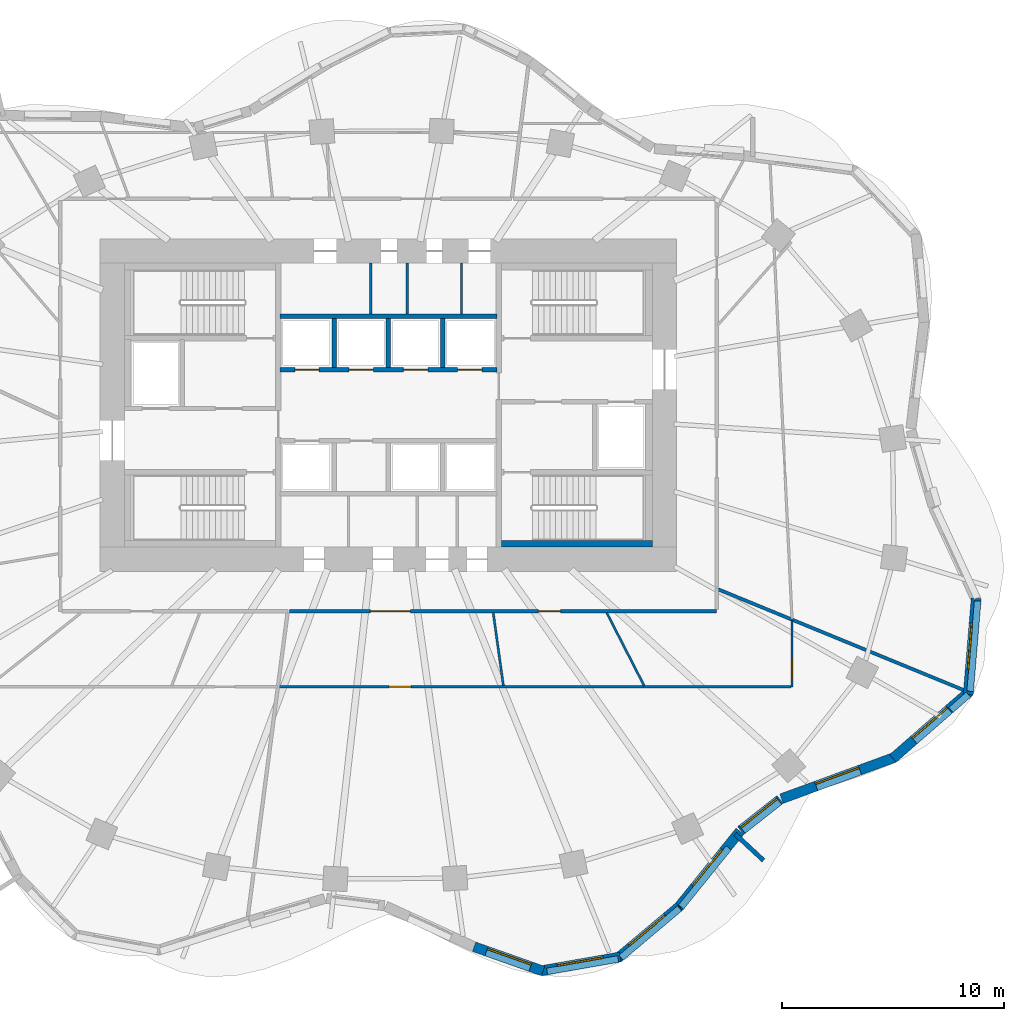
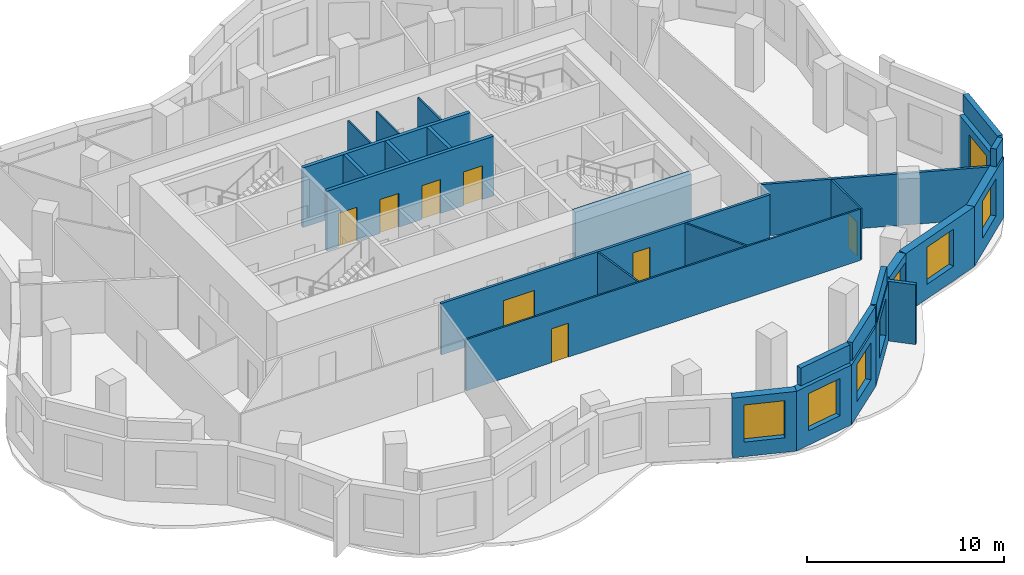
# One storey, part 5 of 9: 29 walls, 8 doors, 8 windows, 16 openings.
"""IFC4 building model written with IfcOpenShell, lengths in metres."""

from ifc_helpers import new_model, si_unit, direction, frame, frame_2d, origin, place, context, subcontext, project, spatial, rectangle, extrude, material, layer, layer_set, type_object, element, fill, save


model = new_model("IFC4")

# Units and contexts
model_context = context("Model", 3, precision=1e-05, world=origin(), true_north=direction((0.0, 1.0)))
body_context = subcontext(model_context, "Body", "Model", "MODEL_VIEW")
ifc_project = project(units=[si_unit("LENGTHUNIT", "METRE"), si_unit("AREAUNIT", "SQUARE_METRE"), si_unit("VOLUMEUNIT", "CUBIC_METRE"), si_unit("PLANEANGLEUNIT", "RADIAN"), si_unit("MASSUNIT", "GRAM", prefix="KILO")], contexts=[model_context])

# Site, building, storey
site_placement = place(None, origin())
site = spatial("IfcSite", under=ifc_project, at=site_placement, CompositionType="ELEMENT")
building_placement = place(site_placement, origin())
building = spatial("IfcBuilding", under=site, at=building_placement, Name="Rubra Terraces Tower", CompositionType="ELEMENT")
storey_placement = place(building_placement, frame((0.0, 0.0, 130.5)))
storey = spatial("IfcBuildingStorey", under=building, at=storey_placement, Name="L31", CompositionType="ELEMENT", Elevation=130.5)

# Wall, opening, window
ifc_material_1 = material(Name="Brick masonry red-brown", Category="masonry")
ifc_layer_1 = layer(ifc_material_1, 0.449951171875)
ifc_layer_set_1 = layer_set([ifc_layer_1], Name="Brick masonry red-brown")
wall_type_1 = type_object("IfcWallType", Name="Brick facade wall 450", PredefinedType="SOLIDWALL", material=ifc_layer_set_1)
wall_1_placement = place(storey_placement, frame((3.8603515625, -19.922607421875, 0.0), z_axis=(0.0, 0.0, 1.0), x_axis=(0.943061302397, -0.33261897108, 0.0)))
wall_1 = element("IfcWall", 1, at=wall_1_placement, inside=storey, type_object=wall_type_1, Name="Facade wall L31 bay 32", PredefinedType="SOLIDWALL", context=body_context, shape_type="SweptSolid", body=[
    extrude(rectangle(XDim=3.301513671875, YDim=0.449951171875, at=frame_2d((1.65087890625, 0.0))), origin(), (0.0, 0.0, 1.0), 3.699951171875),
])
opening_1_placement = place(wall_1_placement, frame((0.600830078125, 0.0, 0.89990234375)))
opening_1 = element("IfcOpeningElement", 2, at=opening_1_placement, cuts=wall_1, Name="Opening W1B", PredefinedType="OPENING", context=body_context, shape_type="SweptSolid", body=[
    extrude(rectangle(XDim=2.10009765625, YDim=2.300048828125, at=frame_2d((1.050048828125, 1.14990234375))), frame((0.0, 0.23486328125, 0.0), z_axis=(0.0, -1.0, 0.0), x_axis=(1.0, 0.0, 0.0)), (0.0, 0.0, 1.0), 0.469970703125),
])
ifc_material_2 = material(Name="Clear glass in aluminium frame", Category="aluminium")
window_type = type_object("IfcWindowType", Name="Fixed deep-set window tall storey 2100 x 2300", PartitioningType="SINGLE_PANEL", PredefinedType="WINDOW", material=ifc_material_2)
window_1_placement = place(opening_1_placement, origin())
window_1 = element("IfcWindow", 3, at=window_1_placement, inside=storey, type_object=window_type, Name="Window L31 bay 32", OverallHeight=2.300048828125, OverallWidth=2.10009765625, PartitioningType="SINGLE_PANEL", PredefinedType="WINDOW", context=body_context, shape_type="SweptSolid", body=[
    extrude(rectangle(XDim=2.10009765625, YDim=2.300048828125, at=frame_2d((1.050048828125, 1.14990234375))), frame((0.0, 0.135009765625, 0.0), z_axis=(0.0, -1.0, 0.0), x_axis=(1.0, 0.0, 0.0)), (0.0, 0.0, 1.0), 0.06005859375),
])
fill(opening_1, window_1)

wall_2_placement = place(storey_placement, frame((6.860107421875, -21.011474609375, 0.0), z_axis=(0.0, 0.0, 1.0), x_axis=(0.985017416972, 0.172454887614, 0.0)))
wall_2 = element("IfcWall", 4, at=wall_2_placement, inside=storey, type_object=wall_type_1, Name="Facade wall L31 bay 33", PredefinedType="SOLIDWALL", context=body_context, shape_type="SweptSolid", body=[
    extrude(rectangle(XDim=3.65380859375, YDim=0.449951171875, at=frame_2d((1.826904296875, 0.0))), origin(), (0.0, 0.0, 1.0), 3.699951171875),
])
opening_2_placement = place(wall_2_placement, frame((0.77685546875, 0.0, 0.89990234375)))
opening_2 = element("IfcOpeningElement", 5, at=opening_2_placement, cuts=wall_2, Name="Opening W1B", PredefinedType="OPENING", context=body_context, shape_type="SweptSolid", body=[
    extrude(rectangle(XDim=2.10009765625, YDim=2.300048828125, at=frame_2d((1.050048828125, 1.14990234375))), frame((0.0, 0.23486328125, 0.0), z_axis=(0.0, -1.0, 0.0), x_axis=(1.0, 0.0, 0.0)), (0.0, 0.0, 1.0), 0.469970703125),
])
window_2_placement = place(opening_2_placement, origin())
window_2 = element("IfcWindow", 6, at=window_2_placement, inside=storey, type_object=window_type, Name="Window L31 bay 33", OverallHeight=2.300048828125, OverallWidth=2.10009765625, PartitioningType="SINGLE_PANEL", PredefinedType="WINDOW", context=body_context, shape_type="SweptSolid", body=[
    extrude(rectangle(XDim=2.10009765625, YDim=2.300048828125, at=frame_2d((1.050048828125, 1.14990234375))), frame((0.0, 0.135009765625, 0.0), z_axis=(0.0, -1.0, 0.0), x_axis=(1.0, 0.0, 0.0)), (0.0, 0.0, 1.0), 0.06005859375),
])
fill(opening_2, window_2)

wall_3_placement = place(storey_placement, frame((10.353271484375, -20.430908203125, 0.0), z_axis=(0.0, 0.0, 1.0), x_axis=(0.765535539659, 0.643393610101, 0.0)))
wall_3 = element("IfcWall", 7, at=wall_3_placement, inside=storey, type_object=wall_type_1, Name="Facade wall L31 bay 34", PredefinedType="SOLIDWALL", context=body_context, shape_type="SweptSolid", body=[
    extrude(rectangle(XDim=3.60791015625, YDim=0.449951171875, at=frame_2d((1.803955078125, 0.0))), origin(), (0.0, 0.0, 1.0), 3.699951171875),
])
opening_3_placement = place(wall_3_placement, frame((0.75390625, 0.0, 0.89990234375)))
opening_3 = element("IfcOpeningElement", 8, at=opening_3_placement, cuts=wall_3, Name="Opening W1B", PredefinedType="OPENING", context=body_context, shape_type="SweptSolid", body=[
    extrude(rectangle(XDim=2.10009765625, YDim=2.300048828125, at=frame_2d((1.050048828125, 1.14990234375))), frame((0.0, 0.23486328125, 0.0), z_axis=(0.0, -1.0, 0.0), x_axis=(1.0, 0.0, 0.0)), (0.0, 0.0, 1.0), 0.469970703125),
])
window_3_placement = place(opening_3_placement, origin())
window_3 = element("IfcWindow", 9, at=window_3_placement, inside=storey, type_object=window_type, Name="Window L31 bay 34", OverallHeight=2.300048828125, OverallWidth=2.10009765625, PartitioningType="SINGLE_PANEL", PredefinedType="WINDOW", context=body_context, shape_type="SweptSolid", body=[
    extrude(rectangle(XDim=2.10009765625, YDim=2.300048828125, at=frame_2d((1.050048828125, 1.14990234375))), frame((0.0, 0.135009765625, 0.0), z_axis=(0.0, -1.0, 0.0), x_axis=(1.0, 0.0, 0.0)), (0.0, 0.0, 1.0), 0.06005859375),
])
fill(opening_3, window_3)

wall_4_placement = place(storey_placement, frame((13.0849609375, -18.140380859375, 0.0), z_axis=(0.0, 0.0, 1.0), x_axis=(0.628273836344, 0.777992279245, 0.0)))
wall_4 = element("IfcWall", 10, at=wall_4_placement, inside=storey, type_object=wall_type_1, Name="Facade wall L31 bay 35", PredefinedType="SOLIDWALL", context=body_context, shape_type="SweptSolid", body=[
    extrude(rectangle(XDim=4.401123046875, YDim=0.449951171875, at=frame_2d((2.20068359375, 0.0))), origin(), (0.0, 0.0, 1.0), 3.699951171875),
])
opening_4_placement = place(wall_4_placement, frame((1.150634765625, 0.0, 0.89990234375)))
opening_4 = element("IfcOpeningElement", 11, at=opening_4_placement, cuts=wall_4, Name="Opening W1B", PredefinedType="OPENING", context=body_context, shape_type="SweptSolid", body=[
    extrude(rectangle(XDim=2.10009765625, YDim=2.300048828125, at=frame_2d((1.050048828125, 1.14990234375))), frame((0.0, 0.23486328125, 0.0), z_axis=(0.0, -1.0, 0.0), x_axis=(1.0, 0.0, 0.0)), (0.0, 0.0, 1.0), 0.469970703125),
])
window_4_placement = place(opening_4_placement, origin())
window_4 = element("IfcWindow", 12, at=window_4_placement, inside=storey, type_object=window_type, Name="Window L31 bay 35", OverallHeight=2.300048828125, OverallWidth=2.10009765625, PartitioningType="SINGLE_PANEL", PredefinedType="WINDOW", context=body_context, shape_type="SweptSolid", body=[
    extrude(rectangle(XDim=2.10009765625, YDim=2.300048828125, at=frame_2d((1.050048828125, 1.14990234375))), frame((0.0, 0.135009765625, 0.0), z_axis=(0.0, -1.0, 0.0), x_axis=(1.0, 0.0, 0.0)), (0.0, 0.0, 1.0), 0.06005859375),
])
fill(opening_4, window_4)

wall_5_placement = place(storey_placement, frame((15.885986328125, -14.680908203125, 0.0), z_axis=(0.0, 0.0, 1.0), x_axis=(0.78545189886, 0.618922704849, 0.0)))
wall_5 = element("IfcWall", 13, at=wall_5_placement, inside=storey, type_object=wall_type_1, Name="Facade wall L31 bay 36", PredefinedType="SOLIDWALL", context=body_context, shape_type="SweptSolid", body=[
    extrude(rectangle(XDim=2.2607421875, YDim=0.449951171875, at=frame_2d((1.13037109375, 0.0))), origin(), (0.0, 0.0, 1.0), 3.699951171875),
])
opening_5_placement = place(wall_5_placement, frame((0.080322265625, 0.0, 0.89990234375)))
opening_5 = element("IfcOpeningElement", 14, at=opening_5_placement, cuts=wall_5, Name="Opening W1B", PredefinedType="OPENING", context=body_context, shape_type="SweptSolid", body=[
    extrude(rectangle(XDim=2.10009765625, YDim=2.300048828125, at=frame_2d((1.050048828125, 1.14990234375))), frame((0.0, 0.23486328125, 0.0), z_axis=(0.0, -1.0, 0.0), x_axis=(1.0, 0.0, 0.0)), (0.0, 0.0, 1.0), 0.469970703125),
])
window_5_placement = place(opening_5_placement, origin())
window_5 = element("IfcWindow", 15, at=window_5_placement, inside=storey, type_object=window_type, Name="Window L31 bay 36", OverallHeight=2.300048828125, OverallWidth=2.10009765625, PartitioningType="SINGLE_PANEL", PredefinedType="WINDOW", context=body_context, shape_type="SweptSolid", body=[
    extrude(rectangle(XDim=2.10009765625, YDim=2.300048828125, at=frame_2d((1.050048828125, 1.14990234375))), frame((0.0, 0.135009765625, 0.0), z_axis=(0.0, -1.0, 0.0), x_axis=(1.0, 0.0, 0.0)), (0.0, 0.0, 1.0), 0.06005859375),
])
fill(opening_5, window_5)

wall_6_placement = place(storey_placement, frame((17.7236328125, -13.247314453125, 0.0), z_axis=(0.0, 0.0, 1.0), x_axis=(0.939241771593, 0.343256310203, 0.0)))
wall_6 = element("IfcWall", 16, at=wall_6_placement, inside=storey, type_object=wall_type_1, Name="Facade wall L31 bay 37", PredefinedType="SOLIDWALL", context=body_context, shape_type="SweptSolid", body=[
    extrude(rectangle(XDim=5.426025390625, YDim=0.449951171875, at=frame_2d((2.712890625, 0.0))), origin(), (0.0, 0.0, 1.0), 3.699951171875),
])
opening_6_placement = place(wall_6_placement, frame((1.6630859375, 0.0, 0.89990234375)))
opening_6 = element("IfcOpeningElement", 17, at=opening_6_placement, cuts=wall_6, Name="Opening W1B", PredefinedType="OPENING", context=body_context, shape_type="SweptSolid", body=[
    extrude(rectangle(XDim=2.10009765625, YDim=2.300048828125, at=frame_2d((1.050048828125, 1.14990234375))), frame((0.0, 0.23486328125, 0.0), z_axis=(0.0, -1.0, 0.0), x_axis=(1.0, 0.0, 0.0)), (0.0, 0.0, 1.0), 0.469970703125),
])
window_6_placement = place(opening_6_placement, origin())
window_6 = element("IfcWindow", 18, at=window_6_placement, inside=storey, type_object=window_type, Name="Window L31 bay 37", OverallHeight=2.300048828125, OverallWidth=2.10009765625, PartitioningType="SINGLE_PANEL", PredefinedType="WINDOW", context=body_context, shape_type="SweptSolid", body=[
    extrude(rectangle(XDim=2.10009765625, YDim=2.300048828125, at=frame_2d((1.050048828125, 1.14990234375))), frame((0.0, 0.135009765625, 0.0), z_axis=(0.0, -1.0, 0.0), x_axis=(1.0, 0.0, 0.0)), (0.0, 0.0, 1.0), 0.06005859375),
])
fill(opening_6, window_6)

wall_7_placement = place(storey_placement, frame((22.74951171875, -11.4267578125, 0.0), z_axis=(0.0, 0.0, 1.0), x_axis=(0.753367370231, 0.657599882506, 0.0)))
wall_7 = element("IfcWall", 19, at=wall_7_placement, inside=storey, type_object=wall_type_1, Name="Facade wall L31 bay 38", PredefinedType="SOLIDWALL", context=body_context, shape_type="SweptSolid", body=[
    extrude(rectangle(XDim=4.606689453125, YDim=0.449951171875, at=frame_2d((2.30322265625, 0.0))), origin(), (0.0, 0.0, 1.0), 3.699951171875),
])
opening_7_placement = place(wall_7_placement, frame((1.25341796875, 0.0, 0.89990234375)))
opening_7 = element("IfcOpeningElement", 20, at=opening_7_placement, cuts=wall_7, Name="Opening W1B", PredefinedType="OPENING", context=body_context, shape_type="SweptSolid", body=[
    extrude(rectangle(XDim=2.10009765625, YDim=2.300048828125, at=frame_2d((1.050048828125, 1.14990234375))), frame((0.0, 0.23486328125, 0.0), z_axis=(0.0, -1.0, 0.0), x_axis=(1.0, 0.0, 0.0)), (0.0, 0.0, 1.0), 0.469970703125),
])
window_7_placement = place(opening_7_placement, origin())
window_7 = element("IfcWindow", 21, at=window_7_placement, inside=storey, type_object=window_type, Name="Window L31 bay 38", OverallHeight=2.300048828125, OverallWidth=2.10009765625, PartitioningType="SINGLE_PANEL", PredefinedType="WINDOW", context=body_context, shape_type="SweptSolid", body=[
    extrude(rectangle(XDim=2.10009765625, YDim=2.300048828125, at=frame_2d((1.050048828125, 1.14990234375))), frame((0.0, 0.135009765625, 0.0), z_axis=(0.0, -1.0, 0.0), x_axis=(1.0, 0.0, 0.0)), (0.0, 0.0, 1.0), 0.06005859375),
])
fill(opening_7, window_7)

wall_8_placement = place(storey_placement, frame((26.143798828125, -8.54833984375, 0.0), z_axis=(0.0, 0.0, 1.0), x_axis=(0.083268523648, 0.996527146128, 0.0)))
wall_8 = element("IfcWall", 22, at=wall_8_placement, inside=storey, type_object=wall_type_1, Name="Facade wall L31 bay 39", PredefinedType="SOLIDWALL", context=body_context, shape_type="SweptSolid", body=[
    extrude(rectangle(XDim=4.34814453125, YDim=0.449951171875, at=frame_2d((2.174072265625, 0.0))), origin(), (0.0, 0.0, 1.0), 3.699951171875),
])
opening_8_placement = place(wall_8_placement, frame((1.1240234375, 0.0, 0.89990234375)))
opening_8 = element("IfcOpeningElement", 23, at=opening_8_placement, cuts=wall_8, Name="Opening W1B", PredefinedType="OPENING", context=body_context, shape_type="SweptSolid", body=[
    extrude(rectangle(XDim=2.10009765625, YDim=2.300048828125, at=frame_2d((1.050048828125, 1.14990234375))), frame((0.0, 0.23486328125, 0.0), z_axis=(0.0, -1.0, 0.0), x_axis=(1.0, 0.0, 0.0)), (0.0, 0.0, 1.0), 0.469970703125),
])
window_8_placement = place(opening_8_placement, origin())
window_8 = element("IfcWindow", 24, at=window_8_placement, inside=storey, type_object=window_type, Name="Window L31 bay 39", OverallHeight=2.300048828125, OverallWidth=2.10009765625, PartitioningType="SINGLE_PANEL", PredefinedType="WINDOW", context=body_context, shape_type="SweptSolid", body=[
    extrude(rectangle(XDim=2.10009765625, YDim=2.300048828125, at=frame_2d((1.050048828125, 1.14990234375))), frame((0.0, 0.135009765625, 0.0), z_axis=(0.0, -1.0, 0.0), x_axis=(1.0, 0.0, 0.0)), (0.0, 0.0, 1.0), 0.06005859375),
])
fill(opening_8, window_8)

# Walls
ifc_layer_2 = layer(ifc_material_1, 0.300048828125)
ifc_layer_set_2 = layer_set([ifc_layer_2], Name="Brick masonry red-brown")
wall_type_2 = type_object("IfcWallType", Name="Brick parapet 300", PredefinedType="PARAPET", material=ifc_layer_set_2)
wall_9_placement = place(storey_placement, frame((7.1533203125, -21.0361328125, 3.89990234375), z_axis=(0.0, 0.0, 1.0), x_axis=(0.985026968375, 0.172400323589, 0.0)))
element("IfcWall", 25, at=wall_9_placement, inside=storey, type_object=wall_type_2, Name="Parapet L31 bay 33", PredefinedType="PARAPET", context=body_context, shape_type="SweptSolid", body=[
    extrude(rectangle(XDim=3.258544921875, YDim=0.300048828125, at=frame_2d((1.62939453125, 0.0))), origin(), (0.0, 0.0, 1.0), 1.10009765625),
])
wall_10_placement = place(storey_placement, frame((10.486083984375, -20.4169921875, 3.89990234375), z_axis=(0.0, 0.0, 1.0), x_axis=(0.765557356731, 0.64336765038, 0.0)))
element("IfcWall", 26, at=wall_10_placement, inside=storey, type_object=wall_type_2, Name="Parapet L31 bay 34", PredefinedType="PARAPET", context=body_context, shape_type="SweptSolid", body=[
    extrude(rectangle(XDim=3.45654296875, YDim=0.300048828125, at=frame_2d((1.728271484375, 0.0))), origin(), (0.0, 0.0, 1.0), 1.10009765625),
])
wall_11_placement = place(storey_placement, frame((13.1943359375, -18.1298828125, 3.89990234375), z_axis=(0.0, 0.0, 1.0), x_axis=(0.628264043073, 0.778000187777, 0.0)))
element("IfcWall", 27, at=wall_11_placement, inside=storey, type_object=wall_type_2, Name="Parapet L31 bay 35", PredefinedType="PARAPET", context=body_context, shape_type="SweptSolid", body=[
    extrude(rectangle(XDim=3.42236328125, YDim=0.300048828125, at=frame_2d((1.711181640625, 0.0))), origin(), (0.0, 0.0, 1.0), 1.10009765625),
])
wall_12_placement = place(storey_placement, frame((25.3623046875, -9.24560546875, 3.89990234375), z_axis=(0.0, 0.0, 1.0), x_axis=(0.753495699064, 0.657452835945, 0.0)))
element("IfcWall", 28, at=wall_12_placement, inside=storey, type_object=wall_type_2, Name="Parapet L31 bay 38", PredefinedType="PARAPET", context=body_context, shape_type="SweptSolid", body=[
    extrude(rectangle(XDim=1.052490234375, YDim=0.300048828125, at=frame_2d((0.5263671875, 0.0))), origin(), (0.0, 0.0, 1.0), 1.10009765625),
])
wall_13_placement = place(storey_placement, frame((26.231201171875, -8.403564453125, 3.89990234375), z_axis=(0.0, 0.0, 1.0), x_axis=(0.083203659887, 0.996532563934, 0.0)))
element("IfcWall", 29, at=wall_13_placement, inside=storey, type_object=wall_type_2, Name="Parapet L31 bay 39", PredefinedType="PARAPET", context=body_context, shape_type="SweptSolid", body=[
    extrude(rectangle(XDim=4.08740234375, YDim=0.300048828125, at=frame_2d((2.043701171875, 0.0))), origin(), (0.0, 0.0, 1.0), 1.10009765625),
])
ifc_layer_3 = layer(ifc_material_1, 0.199951171875)
ifc_layer_set_3 = layer_set([ifc_layer_3], Name="Brick masonry red-brown")
wall_type_3 = type_object("IfcWallType", Name="Brick wind fin 200", PredefinedType="SOLIDWALL", material=ifc_layer_set_3)
wall_14_placement = place(storey_placement, frame((15.632080078125, -14.837890625, 0.0), z_axis=(0.0, 0.0, 1.0), x_axis=(0.73177399504, -0.681547371929, 0.0)))
element("IfcWall", 30, at=wall_14_placement, inside=storey, type_object=wall_type_3, Name="Wind fin L31 18", PredefinedType="SOLIDWALL", context=body_context, shape_type="SweptSolid", body=[
    extrude(rectangle(XDim=1.75, YDim=0.199951171875, at=frame_2d((0.875, 0.0))), origin(), (0.0, 0.0, 1.0), 3.699951171875),
])

# Wall, openings, doors
ifc_material_3 = material(Name="Plasterboard on steel stud, mineral wool infill", Category="steel")
ifc_layer_4 = layer(ifc_material_3, 0.14990234375)
ifc_layer_set_4 = layer_set([ifc_layer_4], Name="Plasterboard on steel stud, mineral wool infill")
wall_type_4 = type_object("IfcWallType", Name="CORRIDOR PARTITION 150", PredefinedType="PARTITIONING", material=ifc_layer_set_4)
wall_15_placement = place(storey_placement, frame((-4.46533203125, -4.800048828125, 0.0), z_axis=(0.0, 0.0, 1.0), x_axis=(1.0, 0.0, 0.0)))
wall_15 = element("IfcWall", 31, at=wall_15_placement, inside=storey, type_object=wall_type_4, Name="PARTITION", PredefinedType="PARTITIONING", context=body_context, shape_type="SweptSolid", body=[
    extrude(rectangle(XDim=19.265380859375, YDim=0.14990234375, at=frame_2d((9.6328125, 0.0))), origin(), (0.0, 0.0, 1.0), 3.197998046875),
])
opening_9_placement = place(wall_15_placement, frame((3.654052734375, 0.0, 0.0)))
opening_9 = element("IfcOpeningElement", 32, at=opening_9_placement, cuts=wall_15, Name="Opening 31-110", PredefinedType="OPENING", context=body_context, shape_type="SweptSolid", body=[
    extrude(rectangle(XDim=1.800048828125, YDim=2.10009765625, at=frame_2d((0.89990234375, 1.050048828125))), frame((0.0, 0.0849609375, 0.0), z_axis=(0.0, -1.0, 0.0), x_axis=(1.0, 0.0, 0.0)), (0.0, 0.0, 1.0), 0.169921875),
])
opening_10_placement = place(wall_15_placement, frame((11.22900390625, 0.0, 0.0)))
opening_10 = element("IfcOpeningElement", 33, at=opening_10_placement, cuts=wall_15, Name="Opening 31-112", PredefinedType="OPENING", context=body_context, shape_type="SweptSolid", body=[
    extrude(rectangle(XDim=1.0, YDim=2.39990234375, at=frame_2d((0.5, 1.199951171875))), frame((0.0, 0.0849609375, 0.0), z_axis=(0.0, -1.0, 0.0), x_axis=(1.0, 0.0, 0.0)), (0.0, 0.0, 1.0), 0.169921875),
])
ifc_material_4 = material(Name="Glazed aluminium meeting door leaf", Category="aluminium")
door_type_1 = type_object("IfcDoorType", Name="MEETING ROOM GLAZED DOOR 1000 X 2400", OperationType="SINGLE_SWING_LEFT", PredefinedType="DOOR", material=ifc_material_4)
door_1_placement = place(opening_10_placement, origin())
door_1 = element("IfcDoor", 34, at=door_1_placement, inside=storey, type_object=door_type_1, Name="DOOR 31-112", OperationType="SINGLE_SWING_RIGHT", OverallHeight=2.39990234375, OverallWidth=1.0, PredefinedType="DOOR", context=body_context, shape_type="SweptSolid", body=[
    extrude(rectangle(XDim=1.0, YDim=2.39990234375, at=frame_2d((0.5, 1.199951171875))), frame((0.0, 0.02490234375, 0.0), z_axis=(0.0, -1.0, 0.0), x_axis=(1.0, 0.0, 0.0)), (0.0, 0.0, 1.0), 0.050048828125),
])
fill(opening_10, door_1)
ifc_material_5 = material(Name="Painted timber door leaf, double", Category="wood")
door_type_2 = type_object("IfcDoorType", Name="ROOM DOUBLE DOOR 1800 X 2100", OperationType="DOUBLE_DOOR_SINGLE_SWING", PredefinedType="DOOR", material=ifc_material_5)
door_2_placement = place(opening_9_placement, origin())
door_2 = element("IfcDoor", 35, at=door_2_placement, inside=storey, type_object=door_type_2, Name="DOOR 31-110", OperationType="DOUBLE_DOOR_SINGLE_SWING", OverallHeight=2.10009765625, OverallWidth=1.800048828125, PredefinedType="DOOR", context=body_context, shape_type="SweptSolid", body=[
    extrude(rectangle(XDim=1.800048828125, YDim=2.10009765625, at=frame_2d((0.89990234375, 1.050048828125))), frame((0.0, 0.02490234375, 0.0), z_axis=(0.0, -1.0, 0.0), x_axis=(1.0, 0.0, 0.0)), (0.0, 0.0, 1.0), 0.050048828125),
])
fill(opening_9, door_2)

# Wall
ifc_material_6 = material(Name="Concrete C40", Category="concrete")
ifc_layer_5 = layer(ifc_material_6, 0.300048828125)
ifc_layer_set_5 = layer_set([ifc_layer_5], Name="Concrete C40")
wall_type_5 = type_object("IfcWallType", Name="Core lining wall 300 concrete", PredefinedType="SOLIDWALL", material=ifc_layer_set_5)
wall_16_placement = place(storey_placement, frame((11.89990234375, -1.75, 0.0), z_axis=(0.0, 0.0, 1.0), x_axis=(-1.0, 0.0, 0.0)))
element("IfcWall", 36, at=wall_16_placement, inside=storey, type_object=wall_type_5, Name="CORE LINING WALL L31", PredefinedType="SOLIDWALL", context=body_context, shape_type="SweptSolid", body=[
    extrude(rectangle(XDim=6.7998046875, YDim=0.300048828125, at=frame_2d((3.39990234375, 0.0))), origin(), (0.0, 0.0, 1.0), 3.699951171875),
])

# Wall, openings, doors
ifc_material_7 = material(Name="Concrete C30", Category="concrete")
ifc_layer_6 = layer(ifc_material_7, 0.199951171875)
ifc_layer_set_6 = layer_set([ifc_layer_6], Name="Concrete C30")
wall_type_6 = type_object("IfcWallType", Name="Core wall 200 concrete", PredefinedType="SOLIDWALL", material=ifc_layer_set_6)
wall_17_placement = place(storey_placement, frame((-4.89990234375, 6.10009765625, 0.0), z_axis=(0.0, 0.0, 1.0), x_axis=(1.0, 0.0, 0.0)))
wall_17 = element("IfcWall", 37, at=wall_17_placement, inside=storey, type_object=wall_type_6, Name="LIFT SHAFT WALL L31", PredefinedType="SOLIDWALL", context=body_context, shape_type="SweptSolid", body=[
    extrude(rectangle(XDim=9.7998046875, YDim=0.199951171875, at=frame_2d((4.89990234375, 0.0))), origin(), (0.0, 0.0, 1.0), 3.699951171875),
])
opening_11_placement = place(wall_17_placement, frame((0.675048828125, 0.0, 0.0)))
opening_11 = element("IfcOpeningElement", 38, at=opening_11_placement, cuts=wall_17, Name="Opening L31.C15", PredefinedType="OPENING", context=body_context, shape_type="SweptSolid", body=[
    extrude(rectangle(XDim=1.10009765625, YDim=2.10009765625, at=frame_2d((0.550048828125, 1.050048828125))), frame((0.0, 0.10986328125, 0.0), z_axis=(0.0, -1.0, 0.0), x_axis=(1.0, 0.0, 0.0)), (0.0, 0.0, 1.0), 0.219970703125),
])
opening_12_placement = place(wall_17_placement, frame((3.125, 0.0, 0.0)))
opening_12 = element("IfcOpeningElement", 39, at=opening_12_placement, cuts=wall_17, Name="Opening L31.C16", PredefinedType="OPENING", context=body_context, shape_type="SweptSolid", body=[
    extrude(rectangle(XDim=1.10009765625, YDim=2.10009765625, at=frame_2d((0.550048828125, 1.050048828125))), frame((0.0, 0.10986328125, 0.0), z_axis=(0.0, -1.0, 0.0), x_axis=(1.0, 0.0, 0.0)), (0.0, 0.0, 1.0), 0.219970703125),
])
opening_13_placement = place(wall_17_placement, frame((5.574951171875, 0.0, 0.0)))
opening_13 = element("IfcOpeningElement", 40, at=opening_13_placement, cuts=wall_17, Name="Opening L31.C17", PredefinedType="OPENING", context=body_context, shape_type="SweptSolid", body=[
    extrude(rectangle(XDim=1.10009765625, YDim=2.10009765625, at=frame_2d((0.550048828125, 1.050048828125))), frame((0.0, 0.10986328125, 0.0), z_axis=(0.0, -1.0, 0.0), x_axis=(1.0, 0.0, 0.0)), (0.0, 0.0, 1.0), 0.219970703125),
])
opening_14_placement = place(wall_17_placement, frame((8.02490234375, 0.0, 0.0)))
opening_14 = element("IfcOpeningElement", 41, at=opening_14_placement, cuts=wall_17, Name="Opening L31.C18", PredefinedType="OPENING", context=body_context, shape_type="SweptSolid", body=[
    extrude(rectangle(XDim=1.10009765625, YDim=2.10009765625, at=frame_2d((0.550048828125, 1.050048828125))), frame((0.0, 0.10986328125, 0.0), z_axis=(0.0, -1.0, 0.0), x_axis=(1.0, 0.0, 0.0)), (0.0, 0.0, 1.0), 0.219970703125),
])
ifc_material_8 = material(Name="Stainless steel", Category="steel")
door_type_3 = type_object("IfcDoorType", Name="Lift landing door 1100x2100", OperationType="NOTDEFINED", PredefinedType="DOOR", material=ifc_material_8)
door_3_placement = place(opening_11_placement, origin())
door_3 = element("IfcDoor", 42, at=door_3_placement, inside=storey, type_object=door_type_3, Name="Landing door HB3", OperationType="SLIDING_TO_RIGHT", OverallHeight=2.10009765625, OverallWidth=1.10009765625, PredefinedType="DOOR", context=body_context, shape_type="SweptSolid", body=[
    extrude(rectangle(XDim=1.10009765625, YDim=2.10009765625, at=frame_2d((0.550048828125, 1.050048828125))), frame((0.0, 0.02490234375, 0.0), z_axis=(0.0, -1.0, 0.0), x_axis=(1.0, 0.0, 0.0)), (0.0, 0.0, 1.0), 0.050048828125),
])
fill(opening_11, door_3)
door_4_placement = place(opening_12_placement, origin())
door_4 = element("IfcDoor", 43, at=door_4_placement, inside=storey, type_object=door_type_3, Name="Landing door HB4", OperationType="SLIDING_TO_LEFT", OverallHeight=2.10009765625, OverallWidth=1.10009765625, PredefinedType="DOOR", context=body_context, shape_type="SweptSolid", body=[
    extrude(rectangle(XDim=1.10009765625, YDim=2.10009765625, at=frame_2d((0.550048828125, 1.050048828125))), frame((0.0, 0.02490234375, 0.0), z_axis=(0.0, -1.0, 0.0), x_axis=(1.0, 0.0, 0.0)), (0.0, 0.0, 1.0), 0.050048828125),
])
fill(opening_12, door_4)
door_5_placement = place(opening_13_placement, origin())
door_5 = element("IfcDoor", 44, at=door_5_placement, inside=storey, type_object=door_type_3, Name="Landing door HB5", OperationType="SLIDING_TO_RIGHT", OverallHeight=2.10009765625, OverallWidth=1.10009765625, PredefinedType="DOOR", context=body_context, shape_type="SweptSolid", body=[
    extrude(rectangle(XDim=1.10009765625, YDim=2.10009765625, at=frame_2d((0.550048828125, 1.050048828125))), frame((0.0, 0.02490234375, 0.0), z_axis=(0.0, -1.0, 0.0), x_axis=(1.0, 0.0, 0.0)), (0.0, 0.0, 1.0), 0.050048828125),
])
fill(opening_13, door_5)
door_6_placement = place(opening_14_placement, origin())
door_6 = element("IfcDoor", 45, at=door_6_placement, inside=storey, type_object=door_type_3, Name="Landing door HB6", OperationType="SLIDING_TO_LEFT", OverallHeight=2.10009765625, OverallWidth=1.10009765625, PredefinedType="DOOR", context=body_context, shape_type="SweptSolid", body=[
    extrude(rectangle(XDim=1.10009765625, YDim=2.10009765625, at=frame_2d((0.550048828125, 1.050048828125))), frame((0.0, 0.02490234375, 0.0), z_axis=(0.0, -1.0, 0.0), x_axis=(1.0, 0.0, 0.0)), (0.0, 0.0, 1.0), 0.050048828125),
])
fill(opening_14, door_6)

# Walls
wall_18_placement = place(storey_placement, frame((-4.89990234375, 8.5, 0.0), z_axis=(0.0, 0.0, 1.0), x_axis=(1.0, 0.0, 0.0)))
element("IfcWall", 46, at=wall_18_placement, inside=storey, type_object=wall_type_6, Name="LIFT SHAFT WALL L31", PredefinedType="SOLIDWALL", context=body_context, shape_type="SweptSolid", body=[
    extrude(rectangle(XDim=9.7998046875, YDim=0.199951171875, at=frame_2d((4.89990234375, 0.0))), origin(), (0.0, 0.0, 1.0), 3.699951171875),
])
for number, where, z_axis, x_axis, name in (
    (47, (-2.449951171875, 6.199951171875, 0.0), (0.0, 0.0, 1.0), (0.0, 1.0, 0.0), "LIFT SHAFT WALL L31"),
    (48, (0.0, 6.199951171875, 0.0), (0.0, 0.0, 1.0), (0.0, 1.0, 0.0), "LIFT SHAFT WALL L31"),
    (49, (2.449951171875, 6.199951171875, 0.0), (0.0, 0.0, 1.0), (0.0, 1.0, 0.0), "LIFT SHAFT WALL L31"),
):
    element("IfcWall", number, at=place(storey_placement, frame(where, z_axis=z_axis, x_axis=x_axis)), inside=storey, type_object=wall_type_6, Name=name, PredefinedType="SOLIDWALL", context=body_context, shape_type="SweptSolid", body=[
        extrude(rectangle(XDim=2.199951171875, YDim=0.199951171875, at=frame_2d((1.10009765625, 0.0))), origin(), (0.0, 0.0, 1.0), 3.699951171875),
    ])

# Wall, opening, door
ifc_material_9 = material(Name="Plasterboard on steel stud", Category="steel")
ifc_layer_7 = layer(ifc_material_9, 0.10009765625)
ifc_layer_set_7 = layer_set([ifc_layer_7], Name="Plasterboard on steel stud")
wall_type_7 = type_object("IfcWallType", Name="ROOM PARTITION 100", PredefinedType="PARTITIONING", material=ifc_layer_set_7)
wall_19_placement = place(storey_placement, frame((18.199951171875, -5.194091796875, 0.0), z_axis=(0.0, 0.0, 1.0), x_axis=(0.0, -1.0, 0.0)))
wall_19 = element("IfcWall", 50, at=wall_19_placement, inside=storey, type_object=wall_type_7, Name="PARTITION", PredefinedType="PARTITIONING", context=body_context, shape_type="SweptSolid", body=[
    extrude(rectangle(XDim=3.005859375, YDim=0.10009765625, at=frame_2d((1.5029296875, 0.0))), origin(), (0.0, 0.0, 1.0), 3.18408203125),
])
opening_15_placement = place(wall_19_placement, frame((1.75, 0.0, 0.0)))
opening_15 = element("IfcOpeningElement", 51, at=opening_15_placement, cuts=wall_19, Name="Opening 31-113", PredefinedType="OPENING", context=body_context, shape_type="SweptSolid", body=[
    extrude(rectangle(XDim=0.89990234375, YDim=2.10009765625, at=frame_2d((0.449951171875, 1.050048828125))), frame((0.0, 0.06005859375, 0.0), z_axis=(0.0, -1.0, 0.0), x_axis=(1.0, 0.0, 0.0)), (0.0, 0.0, 1.0), 0.1201171875),
])
ifc_material_10 = material(Name="Painted timber door leaf", Category="wood")
door_type_4 = type_object("IfcDoorType", Name="ROOM DOOR 900 X 2100", OperationType="SINGLE_SWING_LEFT", PredefinedType="DOOR", material=ifc_material_10)
door_7_placement = place(opening_15_placement, origin())
door_7 = element("IfcDoor", 52, at=door_7_placement, inside=storey, type_object=door_type_4, Name="DOOR 31-113", OperationType="SINGLE_SWING_RIGHT", OverallHeight=2.10009765625, OverallWidth=0.89990234375, PredefinedType="DOOR", context=body_context, shape_type="SweptSolid", body=[
    extrude(rectangle(XDim=0.89990234375, YDim=2.10009765625, at=frame_2d((0.449951171875, 1.050048828125))), frame((0.0, 0.02490234375, 0.0), z_axis=(0.0, -1.0, 0.0), x_axis=(1.0, 0.0, 0.0)), (0.0, 0.0, 1.0), 0.050048828125),
])
fill(opening_15, door_7)

wall_20_placement = place(storey_placement, frame((18.14990234375, -8.199951171875, 0.0), z_axis=(0.0, 0.0, 1.0), x_axis=(-1.0, 0.0, 0.0)))
wall_20 = element("IfcWall", 53, at=wall_20_placement, inside=storey, type_object=wall_type_7, Name="PARTITION", PredefinedType="PARTITIONING", context=body_context, shape_type="SweptSolid", body=[
    extrude(rectangle(XDim=23.11474609375, YDim=0.10009765625, at=frame_2d((11.557373046875, 0.0))), origin(), (0.0, 0.0, 1.0), 3.18408203125),
])
opening_16_placement = place(wall_20_placement, frame((17.123046875, 0.0, 0.0)))
opening_16 = element("IfcOpeningElement", 54, at=opening_16_placement, cuts=wall_20, Name="Opening 31-111", PredefinedType="OPENING", context=body_context, shape_type="SweptSolid", body=[
    extrude(rectangle(XDim=1.0, YDim=2.10009765625, at=frame_2d((0.5, 1.050048828125))), frame((0.0, 0.06005859375, 0.0), z_axis=(0.0, -1.0, 0.0), x_axis=(1.0, 0.0, 0.0)), (0.0, 0.0, 1.0), 0.1201171875),
])
door_type_5 = type_object("IfcDoorType", Name="ROOM DOOR 1000 X 2100", OperationType="SINGLE_SWING_LEFT", PredefinedType="DOOR", material=ifc_material_10)
door_8_placement = place(opening_16_placement, origin())
door_8 = element("IfcDoor", 55, at=door_8_placement, inside=storey, type_object=door_type_5, Name="DOOR 31-111", OperationType="SINGLE_SWING_LEFT", OverallHeight=2.10009765625, OverallWidth=1.0, PredefinedType="DOOR", context=body_context, shape_type="SweptSolid", body=[
    extrude(rectangle(XDim=1.0, YDim=2.10009765625, at=frame_2d((0.5, 1.050048828125))), frame((0.0, 0.02490234375, 0.0), z_axis=(0.0, -1.0, 0.0), x_axis=(1.0, 0.0, 0.0)), (0.0, 0.0, 1.0), 0.050048828125),
])
fill(opening_16, door_8)

# Walls
wall_21_placement = place(storey_placement, frame((4.72705078125, -4.874267578125, 0.0), z_axis=(0.0, 0.0, 1.0), x_axis=(0.13773130116, -0.990469630368, 0.0)))
element("IfcWall", 56, at=wall_21_placement, inside=storey, type_object=wall_type_7, Name="PARTITION", PredefinedType="PARTITIONING", context=body_context, shape_type="SweptSolid", body=[
    extrude(rectangle(XDim=3.3076171875, YDim=0.10009765625, at=frame_2d((1.65380859375, 0.0))), origin(), (0.0, 0.0, 1.0), 3.18408203125),
])
wall_22_placement = place(storey_placement, frame((9.845458984375, -4.86669921875, 0.0), z_axis=(0.0, 0.0, 1.0), x_axis=(0.456148994618, -0.889903418754, 0.0)))
element("IfcWall", 57, at=wall_22_placement, inside=storey, type_object=wall_type_7, Name="PARTITION", PredefinedType="PARTITIONING", context=body_context, shape_type="SweptSolid", body=[
    extrude(rectangle(XDim=3.69580078125, YDim=0.10009765625, at=frame_2d((1.847900390625, 0.0))), origin(), (0.0, 0.0, 1.0), 3.18408203125),
])
ifc_layer_8 = layer(ifc_material_9, 0.14990234375)
ifc_layer_set_8 = layer_set([ifc_layer_8], Name="Plasterboard on steel stud")
wall_type_8 = type_object("IfcWallType", Name="ROOM PARTITION 150", PredefinedType="PARTITIONING", material=ifc_layer_set_8)
wall_23_placement = place(storey_placement, frame((25.9306640625, -8.34619140625, 0.0), z_axis=(0.0, 0.0, 1.0), x_axis=(-0.92507887737, 0.379775026355, 0.0)))
element("IfcWall", 58, at=wall_23_placement, inside=storey, type_object=wall_type_8, Name="PARTITION", PredefinedType="PARTITIONING", context=body_context, shape_type="SweptSolid", body=[
    extrude(rectangle(XDim=11.95703125, YDim=0.14990234375, at=frame_2d((5.978515625, 0.0))), origin(), (0.0, 0.0, 1.0), 3.197998046875),
])
ifc_material_11 = material(Name="Blockwork", Category="masonry")
ifc_layer_9 = layer(ifc_material_11, 0.10009765625)
ifc_layer_set_9 = layer_set([ifc_layer_9], Name="Blockwork")
wall_type_9 = type_object("IfcWallType", Name="Service partition 100 blockwork", PredefinedType="PARTITIONING", material=ifc_layer_set_9)
for number, where, z_axis, x_axis, name in (
    (59, (-0.800048828125, 8.60009765625, 0.0), (0.0, 0.0, 1.0), (0.0, 1.0, 0.0), "SERVICE ROOM PARTITION L31"),
    (60, (0.85009765625, 8.60009765625, 0.0), (0.0, 0.0, 1.0), (0.0, 1.0, 0.0), "SERVICE ROOM PARTITION L31"),
    (61, (3.300048828125, 8.60009765625, 0.0), (0.0, 0.0, 1.0), (0.0, 1.0, 0.0), "SERVICE ROOM PARTITION L31"),
):
    element("IfcWall", number, at=place(storey_placement, frame(where, z_axis=z_axis, x_axis=x_axis)), inside=storey, type_object=wall_type_9, Name=name, PredefinedType="PARTITIONING", context=body_context, shape_type="SweptSolid", body=[
        extrude(rectangle(XDim=2.2998046875, YDim=0.10009765625, at=frame_2d((1.14990234375, 0.0))), origin(), (0.0, 0.0, 1.0), 3.699951171875),
    ])

save(model, "model.ifc")
